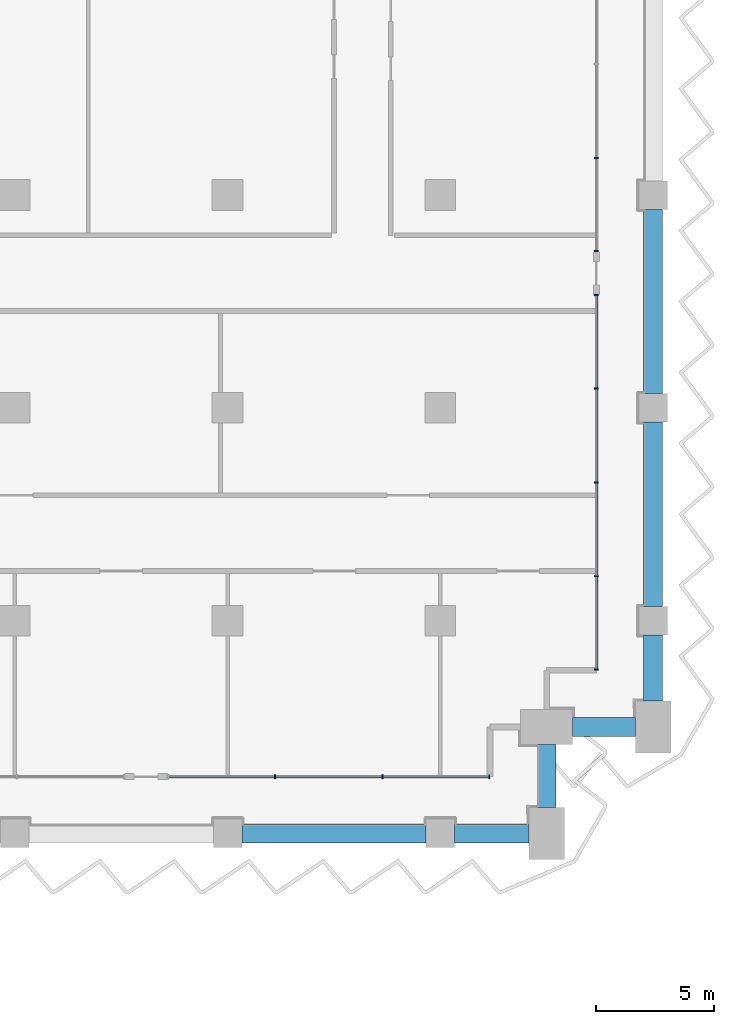
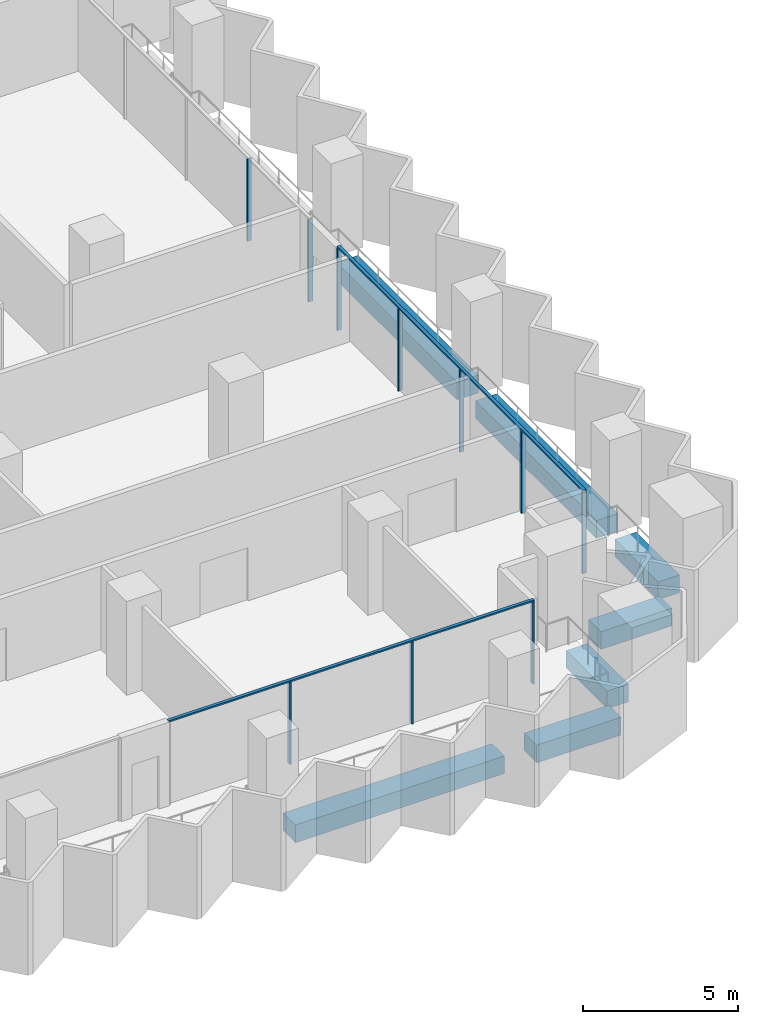
# One storey, part 5 of 23: 12 members, 7 beams, 3 elements without a shape of their own.
"""IFC4 building model written with IfcOpenShell, lengths in metres."""

import ifcopenshell
import ifcopenshell.guid

model = None  # the IFC model being written
_history = None  # IfcOwnerHistory: only IFC2X3 demands one
_inside = {}  # id of a spatial element -> (the spatial element, [elements in it])
_under = {}  # id of a project, library or spatial element -> (it, [spatial elements below it])
_declared = {}  # id of a project -> (the project, [libraries it declares])
_typed = {}  # id of a type object -> (the type object, [elements of that type])
_made_of = {}  # id of a material, layer set ... -> (it, [elements and type objects made of it])


def new_model(schema):
    """Start an empty IFC model of exactly this schema.

    Asked for "IFC4X3", IfcOpenShell would pick the latest addendum, in which some entities
    have other attributes; the version numbers below select the first issue.
    IFC2X3 requires an IfcOwnerHistory on every rooted entity: one is made here for all.
    """
    global model, _history
    if schema == "IFC4X3":
        model = ifcopenshell.file(schema_version=(4, 3, 0, 0))
    else:
        model = ifcopenshell.file(schema=schema)
    _inside.clear()
    _under.clear()
    _declared.clear()
    _typed.clear()
    _made_of.clear()
    _history = None
    if model.schema == "IFC2X3":
        org = make("IfcOrganization", Name="unknown")
        user = make(
            "IfcPersonAndOrganization",
            ThePerson=make("IfcPerson", FamilyName="unknown"),
            TheOrganization=org,
        )
        app = make(
            "IfcApplication",
            ApplicationDeveloper=org,
            Version="unknown",
            ApplicationFullName="unknown",
            ApplicationIdentifier="unknown",
        )
        _history = make(
            "IfcOwnerHistory",
            OwningUser=user,
            OwningApplication=app,
            ChangeAction="ADDED",
            CreationDate=0,
        )
    return model


def make(cls, **values):
    """One entity of the class cls with the attributes given. An attribute that is None is left unset."""
    return model.create_entity(
        cls, **{name: value for name, value in values.items() if value is not None}
    )


def rooted(cls, **values):
    """An entity with a GlobalId (a new one), such as an element, a storey or a relation."""
    return make(cls, GlobalId=ifcopenshell.guid.new(), OwnerHistory=_history, **values)


def si_unit(unit_type, name, prefix=None):
    """IfcSIUnit, for example si_unit("LENGTHUNIT", "METRE", prefix="MILLI")."""
    return make("IfcSIUnit", UnitType=unit_type, Prefix=prefix, Name=name)


def assignment(units):
    """IfcUnitAssignment: the units of a project."""
    return None if units is None else make("IfcUnitAssignment", Units=units)


def point(xyz):
    """IfcCartesianPoint."""
    return None if xyz is None else make("IfcCartesianPoint", Coordinates=xyz)


def direction(xyz):
    """IfcDirection."""
    return None if xyz is None else make("IfcDirection", DirectionRatios=xyz)


def frame(location, z_axis=None, x_axis=None):
    """IfcAxis2Placement3D, a coordinate frame: its origin and axes. An axis left out is left unset."""
    return make(
        "IfcAxis2Placement3D",
        Location=point(location),
        Axis=direction(z_axis),
        RefDirection=direction(x_axis),
    )


def frame_2d(location, x_axis=None):
    """IfcAxis2Placement2D, a coordinate frame in the plane: its origin and x axis."""
    return make(
        "IfcAxis2Placement2D", Location=point(location), RefDirection=direction(x_axis)
    )


def origin():
    """The frame at (0, 0, 0) with its axes left unset."""
    return frame((0.0, 0.0, 0.0))


def origin_2d():
    """The frame at (0, 0) in the plane with its x axis left unset."""
    return frame_2d((0.0, 0.0))


def place(relative_to, where):
    """IfcLocalPlacement: puts the frame where relative to a parent placement (None: the world)."""
    return make(
        "IfcLocalPlacement", PlacementRelTo=relative_to, RelativePlacement=where
    )


def context(
    kind, dimensions, precision=None, world=None, true_north=None, identifier=None
):
    """IfcGeometricRepresentationContext, for example the 3D "Model" context."""
    return make(
        "IfcGeometricRepresentationContext",
        ContextIdentifier=identifier,
        ContextType=kind,
        CoordinateSpaceDimension=dimensions,
        Precision=precision,
        WorldCoordinateSystem=world,
        TrueNorth=true_north,
    )


def subcontext(parent, identifier, kind, view, scale=None):
    """IfcGeometricRepresentationSubContext, for example "Body" below "Model"."""
    return make(
        "IfcGeometricRepresentationSubContext",
        ContextIdentifier=identifier,
        ContextType=kind,
        ParentContext=parent,
        TargetScale=scale,
        TargetView=view,
    )


def project(units=None, contexts=None):
    """IfcProject with its units and contexts."""
    return rooted(
        "IfcProject",
        Name="project",
        RepresentationContexts=contexts,
        UnitsInContext=assignment(units),
    )


def spatial(cls, under=None, at=None, **own):
    """A site, building, storey or space (cls), placed at a placement, below another one or the project."""
    s = rooted(cls, ObjectPlacement=at, **own)
    if under is not None:
        _under.setdefault(under.id(), (under, []))[1].append(s)
    return s


def profile(cls, at=None, kind="AREA", **sizes):
    """A parametric profile (cls). Its sizes go by their IFC names, for example OverallWidth=200.0."""
    return make(cls, ProfileType=kind, Position=at, **sizes)


def rectangle(**sizes):
    """IfcRectangleProfileDef."""
    return profile("IfcRectangleProfileDef", **sizes)


def extrude(swept, where, along, depth):
    """IfcExtrudedAreaSolid: the profile swept, set in the frame where, extruded along a direction by depth."""
    return make(
        "IfcExtrudedAreaSolid",
        SweptArea=swept,
        Position=where,
        ExtrudedDirection=direction(along),
        Depth=depth,
    )


def shape(context_of_items, identifier, shape_type, items):
    """IfcShapeRepresentation: the items that make up one representation, for example the "Body"."""
    return make(
        "IfcShapeRepresentation",
        ContextOfItems=context_of_items,
        RepresentationIdentifier=identifier,
        RepresentationType=shape_type,
        Items=items,
    )


def material(Name=None, Category=None):
    """IfcMaterial."""
    return make("IfcMaterial", Name=Name, Category=Category)


def material_profile(
    of_material, cross_section, Name=None, Category=None, Priority=None
):
    """IfcMaterialProfile: a cross section and its material."""
    return make(
        "IfcMaterialProfile",
        Name=Name,
        Material=of_material,
        Profile=cross_section,
        Priority=Priority,
        Category=Category,
    )


def profile_set(profiles, Name=None, composite=None):
    """IfcMaterialProfileSet."""
    return make(
        "IfcMaterialProfileSet",
        Name=Name,
        MaterialProfiles=profiles,
        CompositeProfile=composite,
    )


def made_of(thing, what):
    """Note that an element or type object is made of a material, layer set ...; save() writes the relation."""
    if what is not None:
        _made_of.setdefault(what.id(), (what, []))[1].append(thing)
    return thing


def type_object(cls, material=None, **own):
    """A type object (cls), such as IfcWallType, which elements share."""
    return made_of(rooted(cls, **own), material)


def element(
    cls,
    number,
    at=None,
    inside=None,
    cuts=None,
    type_object=None,
    material=None,
    context=None,
    identifier="Body",
    shape_type=None,
    held_by="IfcProductDefinitionShape",
    body=None,
    shapes=None,
    **own,
):
    """One element of the class cls, such as IfcWall. Its Tag is "e" and its number.

    at: its placement. inside: the storey or other place that contains it. cuts: it is an
    opening in that element (IfcRelVoidsElement). A single representation is given by context,
    identifier, shape_type and body (its items); several are given by shapes. held_by: the class
    of the entity that holds the representations. save() writes the other relations.
    """
    e = rooted(cls, Tag="e%d" % number, ObjectPlacement=at, **own)
    if body is not None:
        shapes = [shape(context, identifier, shape_type, body)]
    if shapes is not None:
        e.Representation = make(held_by, Representations=shapes)
    if inside is not None:
        _inside.setdefault(inside.id(), (inside, []))[1].append(e)
    if cuts is not None:
        rooted(
            "IfcRelVoidsElement", RelatingBuildingElement=cuts, RelatedOpeningElement=e
        )
    if type_object is not None:
        _typed.setdefault(type_object.id(), (type_object, []))[1].append(e)
    return made_of(e, material)


def aggregate(whole, parts):
    """IfcRelAggregates: a whole, such as a stair, and the parts it consists of."""
    return rooted("IfcRelAggregates", RelatingObject=whole, RelatedObjects=parts)


def save(model, path):
    """Write the relations noted so far, then the file.

    IfcRelAggregates (storeys below a building ...), IfcRelContainedInSpatialStructure (elements
    in a storey), IfcRelDefinesByType, IfcRelAssociatesMaterial and IfcRelDeclares: one each for
    every whole, place, type object, material and project.
    """
    for whole, parts in _under.values():
        aggregate(whole, parts)
    for where, things in _inside.values():
        rooted(
            "IfcRelContainedInSpatialStructure",
            RelatedElements=things,
            RelatingStructure=where,
        )
    for kind, things in _typed.values():
        rooted("IfcRelDefinesByType", RelatedObjects=things, RelatingType=kind)
    for what, things in _made_of.values():
        rooted("IfcRelAssociatesMaterial", RelatedObjects=things, RelatingMaterial=what)
    for by, libraries in _declared.values():
        rooted("IfcRelDeclares", RelatingContext=by, RelatedDefinitions=libraries)
    model.write(path)


model = new_model("IFC4")

# Units and contexts
model_context = context("Model", 3, precision=1e-05, world=origin(), true_north=direction((0.0, 1.0)))
body_context = subcontext(model_context, "Body", "Model", "MODEL_VIEW")
ifc_project = project(units=[si_unit("LENGTHUNIT", "METRE"), si_unit("AREAUNIT", "SQUARE_METRE"), si_unit("VOLUMEUNIT", "CUBIC_METRE"), si_unit("PLANEANGLEUNIT", "RADIAN"), si_unit("MASSUNIT", "GRAM", prefix="KILO")], contexts=[model_context])

# Site, building, storey
site_placement = place(None, origin())
site = spatial("IfcSite", under=ifc_project, at=site_placement, CompositionType="ELEMENT")
building_placement = place(site_placement, origin())
building = spatial("IfcBuilding", under=site, at=building_placement, Name="Hunhe Ridgeline Campus", CompositionType="ELEMENT")
storey_placement = place(building_placement, frame((0.0, 0.0, 107.0)))
storey = spatial("IfcBuildingStorey", under=building, at=storey_placement, Name="L26", CompositionType="ELEMENT", Elevation=107.0)

# Curtain wall, members
ifc_material_1 = material(Name="Aluminium 6063", Category="aluminium")
curtain_wall_type = type_object("IfcCurtainWallType", Name="Curtain wall CW-1", PredefinedType="NOTDEFINED", material=ifc_material_1)
curtain_wall_1_placement = place(storey_placement, origin())
curtain_wall_1 = element("IfcCurtainWall", 1, at=curtain_wall_1_placement, inside=storey, type_object=curtain_wall_type, Name="Curtain wall 14", PredefinedType="NOTDEFINED")
ifc_material_profile_1 = material_profile(ifc_material_1, rectangle(XDim=0.159912109375, YDim=0.06005859375, at=origin_2d()))
ifc_profile_set_1 = profile_set([ifc_material_profile_1], Name="Aluminium 6063")
member_type_1 = type_object("IfcMemberType", Name="CW-1 aluminium mullion", PredefinedType="MULLION", material=ifc_profile_set_1)
member_1_placement = place(storey_placement, frame((64.999267578125, 56.40087890625, 0.0), z_axis=(0.0, 0.0, 1.0), x_axis=(-1.4652e-07, 1.0, 0.0)))
member_1 = element("IfcMember", 2, at=member_1_placement, type_object=member_type_1, Name="CW-1 mullion 2", PredefinedType="MULLION", context=body_context, shape_type="SweptSolid", body=[
    extrude(rectangle(XDim=0.159912109375, YDim=0.06005859375, at=origin_2d()), origin(), (0.0, 0.0, 1.0), 3.239990234375),
])
member_2_placement = place(storey_placement, frame((69.549072265625, 56.40087890625, 0.0), z_axis=(0.0, 0.0, 1.0), x_axis=(-1.4652e-07, 1.0, 0.0)))
member_2 = element("IfcMember", 3, at=member_2_placement, type_object=member_type_1, Name="CW-1 mullion 3", PredefinedType="MULLION", context=body_context, shape_type="SweptSolid", body=[
    extrude(rectangle(XDim=0.159912109375, YDim=0.06005859375, at=origin_2d()), origin(), (0.0, 0.0, 1.0), 3.239990234375),
])
member_3_placement = place(storey_placement, frame((74.069091796875, 56.40087890625, 0.0), z_axis=(0.0, 0.0, 1.0), x_axis=(-1.4652e-07, 1.0, 0.0)))
member_3 = element("IfcMember", 4, at=member_3_placement, type_object=member_type_1, Name="CW-1 mullion 4", PredefinedType="MULLION", context=body_context, shape_type="SweptSolid", body=[
    extrude(rectangle(XDim=0.159912109375, YDim=0.06005859375, at=origin_2d()), origin(), (0.0, 0.0, 1.0), 3.239990234375),
])

curtain_wall_2_placement = place(storey_placement, origin())
curtain_wall_2 = element("IfcCurtainWall", 5, at=curtain_wall_2_placement, inside=storey, type_object=curtain_wall_type, Name="Curtain wall 15", PredefinedType="NOTDEFINED")
member_4_placement = place(storey_placement, frame((78.59912109375, 60.930908203125, 0.0), z_axis=(0.0, 0.0, 1.0), x_axis=(-1.0, 0.0, 0.0)))
member_4 = element("IfcMember", 6, at=member_4_placement, type_object=member_type_1, Name="CW-1 mullion 1", PredefinedType="MULLION", context=body_context, shape_type="SweptSolid", body=[
    extrude(rectangle(XDim=0.159912109375, YDim=0.06005859375, at=origin_2d()), origin(), (0.0, 0.0, 1.0), 3.239990234375),
])
member_5_placement = place(storey_placement, frame((78.59912109375, 64.8759765625, 0.0), z_axis=(0.0, 0.0, 1.0), x_axis=(-1.0, 0.0, 0.0)))
member_5 = element("IfcMember", 7, at=member_5_placement, type_object=member_type_1, Name="CW-1 mullion 2", PredefinedType="MULLION", context=body_context, shape_type="SweptSolid", body=[
    extrude(rectangle(XDim=0.159912109375, YDim=0.06005859375, at=origin_2d()), origin(), (0.0, 0.0, 1.0), 3.239990234375),
])
member_6_placement = place(storey_placement, frame((78.59912109375, 68.850830078125, 0.0), z_axis=(0.0, 0.0, 1.0), x_axis=(-1.0, 0.0, 0.0)))
member_6 = element("IfcMember", 8, at=member_6_placement, type_object=member_type_1, Name="CW-1 mullion 3", PredefinedType="MULLION", context=body_context, shape_type="SweptSolid", body=[
    extrude(rectangle(XDim=0.159912109375, YDim=0.06005859375, at=origin_2d()), origin(), (0.0, 0.0, 1.0), 3.239990234375),
])
member_7_placement = place(storey_placement, frame((78.59912109375, 72.82568359375, 0.0), z_axis=(0.0, 0.0, 1.0), x_axis=(-1.0, 0.0, 0.0)))
member_7 = element("IfcMember", 9, at=member_7_placement, type_object=member_type_1, Name="CW-1 mullion 4", PredefinedType="MULLION", context=body_context, shape_type="SweptSolid", body=[
    extrude(rectangle(XDim=0.159912109375, YDim=0.06005859375, at=origin_2d()), origin(), (0.0, 0.0, 1.0), 3.239990234375),
])
member_8_placement = place(storey_placement, frame((78.59912109375, 76.7705078125, 0.0), z_axis=(0.0, 0.0, 1.0), x_axis=(-1.0, 0.0, 0.0)))
member_8 = element("IfcMember", 10, at=member_8_placement, type_object=member_type_1, Name="CW-1 mullion 5", PredefinedType="MULLION", context=body_context, shape_type="SweptSolid", body=[
    extrude(rectangle(XDim=0.159912109375, YDim=0.06005859375, at=origin_2d()), origin(), (0.0, 0.0, 1.0), 3.239990234375),
])

curtain_wall_3_placement = place(storey_placement, origin())
curtain_wall_3 = element("IfcCurtainWall", 11, at=curtain_wall_3_placement, inside=storey, type_object=curtain_wall_type, Name="Curtain wall 16", PredefinedType="NOTDEFINED")
member_9_placement = place(storey_placement, frame((78.59912109375, 78.630615234375, 0.0), z_axis=(0.0, 0.0, 1.0), x_axis=(-1.0, 0.0, 0.0)))
member_9 = element("IfcMember", 12, at=member_9_placement, type_object=member_type_1, Name="CW-1 mullion 1", PredefinedType="MULLION", context=body_context, shape_type="SweptSolid", body=[
    extrude(rectangle(XDim=0.159912109375, YDim=0.06005859375, at=origin_2d()), origin(), (0.0, 0.0, 1.0), 3.239990234375),
])
member_10_placement = place(storey_placement, frame((78.59912109375, 82.575439453125, 0.0), z_axis=(0.0, 0.0, 1.0), x_axis=(-1.0, 0.0, 0.0)))
member_10 = element("IfcMember", 13, at=member_10_placement, type_object=member_type_1, Name="CW-1 mullion 2", PredefinedType="MULLION", context=body_context, shape_type="SweptSolid", body=[
    extrude(rectangle(XDim=0.159912109375, YDim=0.06005859375, at=origin_2d()), origin(), (0.0, 0.0, 1.0), 3.239990234375),
])
aggregate(curtain_wall_3, [member_9, member_10])

# Member
ifc_material_profile_2 = material_profile(ifc_material_1, rectangle(XDim=0.1201171875, YDim=0.06005859375, at=origin_2d()))
ifc_profile_set_2 = profile_set([ifc_material_profile_2], Name="Aluminium 6063")
member_type_2 = type_object("IfcMemberType", Name="CW-1 aluminium transom", PredefinedType="USERDEFINED", material=ifc_profile_set_2)
member_11_placement = place(storey_placement, frame((60.449462890625, 56.40087890625, 3.27001953125), z_axis=(1.0, 0.0, 0.0), x_axis=(0.0, 1.0, 0.0)))
member_11 = element("IfcMember", 14, at=member_11_placement, type_object=member_type_2, Name="CW-1 transom 1", ObjectType="TRANSOM", PredefinedType="USERDEFINED", context=body_context, shape_type="SweptSolid", body=[
    extrude(rectangle(XDim=0.1201171875, YDim=0.06005859375, at=origin_2d()), origin(), (0.0, 0.0, 1.0), 13.649658203125),
])

aggregate(curtain_wall_1, [member_11, member_1, member_2, member_3])

member_12_placement = place(storey_placement, frame((78.59912109375, 60.90087890625, 3.27001953125), z_axis=(0.0, 1.0, 0.0), x_axis=(-1.0, 0.0, 0.0)))
member_12 = element("IfcMember", 15, at=member_12_placement, type_object=member_type_2, Name="CW-1 transom 1", ObjectType="TRANSOM", PredefinedType="USERDEFINED", context=body_context, shape_type="SweptSolid", body=[
    extrude(rectangle(XDim=0.1201171875, YDim=0.06005859375, at=origin_2d()), origin(), (0.0, 0.0, 1.0), 15.899658203125),
])

aggregate(curtain_wall_2, [member_12, member_4, member_5, member_6, member_7, member_8])

# Beams
ifc_material_2 = material(Name="Concrete C60", Category="concrete")
ifc_material_profile_3 = material_profile(ifc_material_2, rectangle(XDim=0.800048828125, YDim=0.699951171875, at=origin_2d()))
ifc_profile_set_3 = profile_set([ifc_material_profile_3], Name="Concrete C60")
beam_type = type_object("IfcBeamType", Name="RC spandrel beam 800x700 Concrete C60", PredefinedType="SPANDREL", material=ifc_profile_set_3)
beam_1_placement = place(storey_placement, frame((63.60009765625, 54.0, -0.60009765625), z_axis=(1.0, 0.0, 0.0), x_axis=(0.0, 1.0, 0.0)))
element("IfcBeam", 16, at=beam_1_placement, inside=storey, type_object=beam_type, Name="Spandrel beam B1-14 L26", PredefinedType="SPANDREL", context=body_context, shape_type="SweptSolid", body=[
    extrude(rectangle(XDim=0.800048828125, YDim=0.699951171875, at=origin_2d()), origin(), (0.0, 0.0, 1.0), 7.7998046875),
])
beam_2_placement = place(storey_placement, frame((72.60009765625, 54.0, -0.60009765625), z_axis=(1.0, 0.0, 0.0), x_axis=(0.0, 1.0, 0.0)))
element("IfcBeam", 17, at=beam_2_placement, inside=storey, type_object=beam_type, Name="Spandrel beam B1-15 L26", PredefinedType="SPANDREL", context=body_context, shape_type="SweptSolid", body=[
    extrude(rectangle(XDim=0.800048828125, YDim=0.699951171875, at=origin_2d()), origin(), (0.0, 0.0, 1.0), 3.14990234375),
])
for number, where, z_axis, x_axis, name in (
    (18, (76.5, 55.10009765625, -0.60009765625), (0.0, 1.0, 0.0), (-1.0, 0.0, 0.0), "Spandrel beam B1-16 L26"),
    (19, (77.60009765625, 58.5, -0.60009765625), (1.0, 0.0, 0.0), (0.0, 1.0, 0.0), "Spandrel beam B1-17 L26"),
):
    element("IfcBeam", number, at=place(storey_placement, frame(where, z_axis=z_axis, x_axis=x_axis)), inside=storey, type_object=beam_type, Name=name, PredefinedType="SPANDREL", context=body_context, shape_type="SweptSolid", body=[
        extrude(rectangle(XDim=0.800048828125, YDim=0.699951171875, at=origin_2d()), origin(), (0.0, 0.0, 1.0), 2.64990234375),
    ])
beam_3_placement = place(storey_placement, frame((81.0, 59.60009765625, -0.60009765625), z_axis=(0.0, 1.0, 0.0), x_axis=(-1.0, 0.0, 0.0)))
element("IfcBeam", 20, at=beam_3_placement, inside=storey, type_object=beam_type, Name="Spandrel beam B1-18 L26", PredefinedType="SPANDREL", context=body_context, shape_type="SweptSolid", body=[
    extrude(rectangle(XDim=0.800048828125, YDim=0.699951171875, at=origin_2d()), origin(), (0.0, 0.0, 1.0), 2.7998046875),
])
for number, where, z_axis, x_axis, name in (
    (21, (81.0, 63.60009765625, -0.60009765625), (0.0, 1.0, 0.0), (-1.0, 0.0, 0.0), "Spandrel beam B1-19 L26"),
    (22, (81.0, 72.60009765625, -0.60009765625), (0.0, 1.0, 0.0), (-1.0, 0.0, 0.0), "Spandrel beam B1-20 L26"),
):
    element("IfcBeam", number, at=place(storey_placement, frame(where, z_axis=z_axis, x_axis=x_axis)), inside=storey, type_object=beam_type, Name=name, PredefinedType="SPANDREL", context=body_context, shape_type="SweptSolid", body=[
        extrude(rectangle(XDim=0.800048828125, YDim=0.699951171875, at=origin_2d()), origin(), (0.0, 0.0, 1.0), 7.7998046875),
    ])

save(model, "model.ifc")
